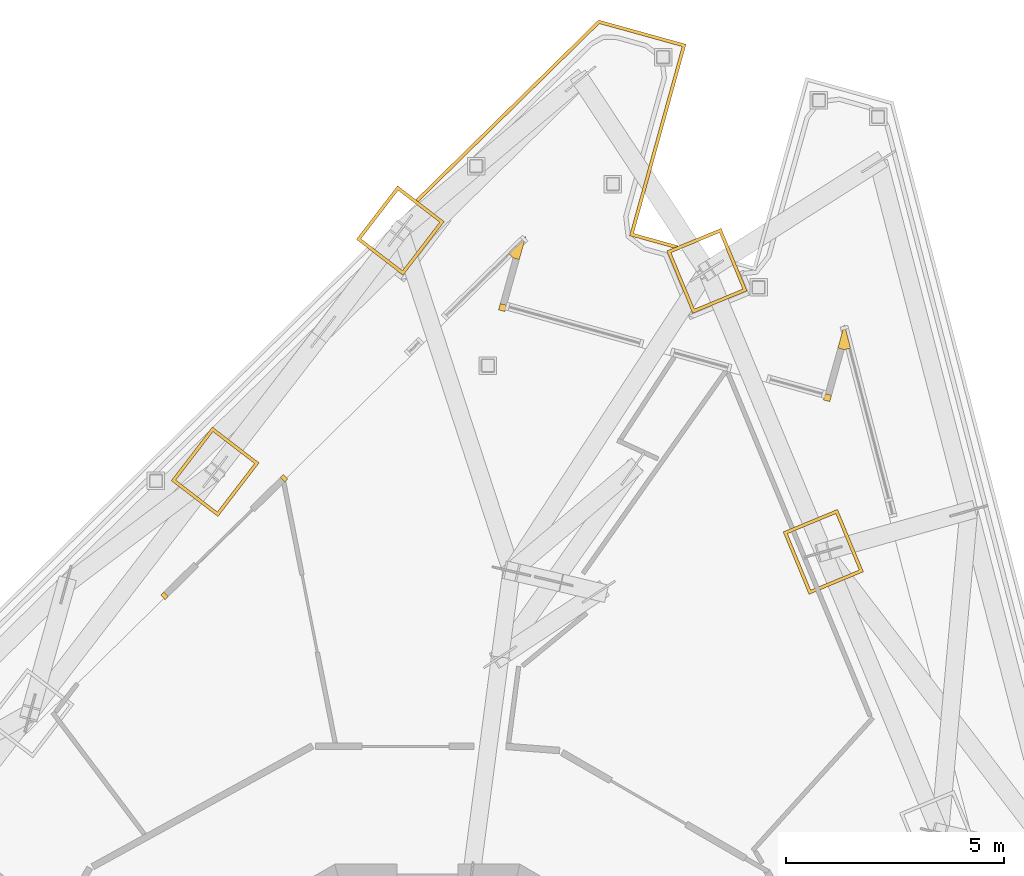
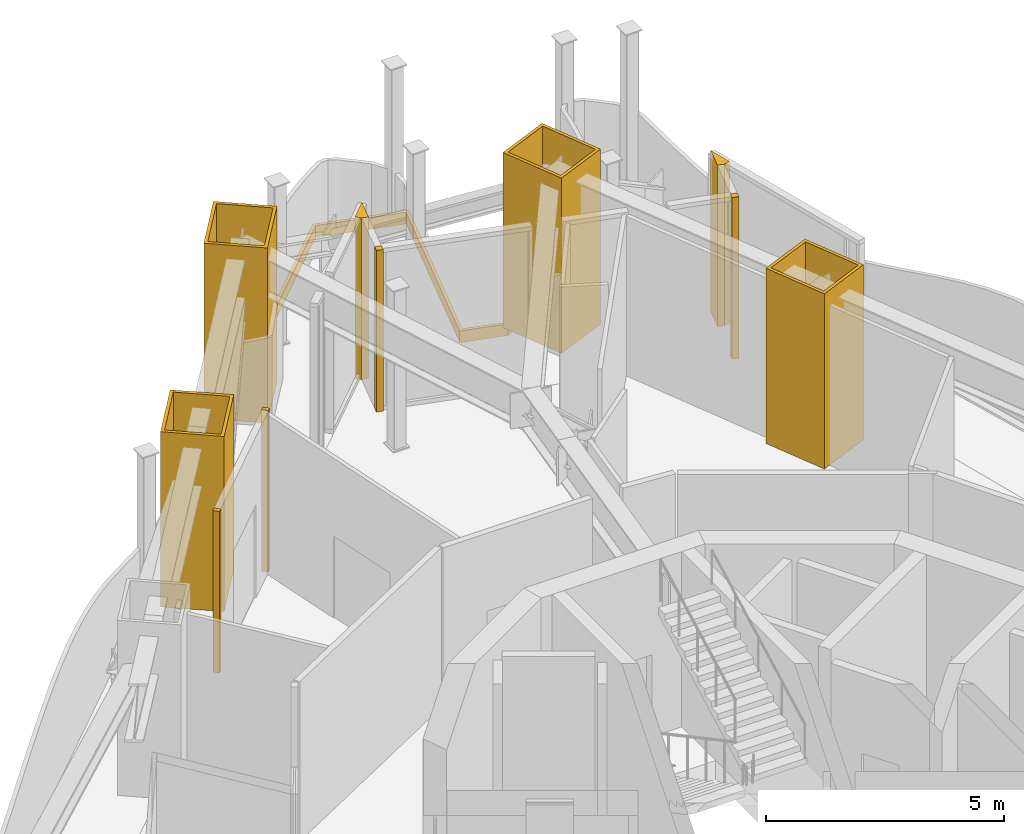
# One storey, part 22 of 22: 11 coverings.
"""IFC4 building model written with IfcOpenShell, lengths in metres."""

from ifc_helpers import new_model, si_unit, direction, frame, origin, place, context, subcontext, project, spatial, polyline, outline, extrude, material, layer, layer_set, type_object, element, save


model = new_model("IFC4")

# Units and contexts
model_context = context("Model", 3, precision=1e-05, world=origin(), true_north=direction((0.0, 1.0)))
body_context = subcontext(model_context, "Body", "Model", "MODEL_VIEW")
ifc_project = project(units=[si_unit("LENGTHUNIT", "METRE"), si_unit("AREAUNIT", "SQUARE_METRE"), si_unit("VOLUMEUNIT", "CUBIC_METRE"), si_unit("PLANEANGLEUNIT", "RADIAN"), si_unit("MASSUNIT", "GRAM", prefix="KILO")], contexts=[model_context])

# Site, building, storey
site_placement = place(None, origin())
site = spatial("IfcSite", under=ifc_project, at=site_placement, CompositionType="ELEMENT")
building_placement = place(site_placement, origin())
building = spatial("IfcBuilding", under=site, at=building_placement, Name="Trine Commons Tower", CompositionType="ELEMENT")
storey_placement = place(building_placement, frame((0.0, 0.0, 267.300048828125)))
storey = spatial("IfcBuildingStorey", under=building, at=storey_placement, Name="L70", CompositionType="ELEMENT", Elevation=267.300048828125)

# Coverings
ifc_material_1 = material(Name="Aluminium-framed insulated wall panel", Category="aluminium")
ifc_layer_1 = layer(ifc_material_1, 0.14990234375)
ifc_layer_set_1 = layer_set([ifc_layer_1], Name="Aluminium-framed insulated wall panel")
covering_type_1 = type_object("IfcCoveringType", Name="Glazing corner post, aluminium", PredefinedType="CLADDING", material=ifc_layer_set_1)
covering_1_placement = place(storey_placement, origin())
element("IfcCovering", 1, at=covering_1_placement, inside=storey, type_object=covering_type_1, Name="Entrance wall jamb post F1 7A", PredefinedType="CLADDING", context=body_context, shape_type="SweptSolid", body=[
    extrude(outline(polyline([(73.8837890625, 76.59130859375), (73.955078125, 76.66162109375), (74.06005859375, 76.554443359375), (73.98876953125, 76.484375), (73.8837890625, 76.59130859375)])), origin(), (0.0, 0.0, 1.0), 4.14990234375),
])
covering_2_placement = place(storey_placement, origin())
element("IfcCovering", 2, at=covering_2_placement, inside=storey, type_object=covering_type_1, Name="Entrance wall jamb post F1 7B", PredefinedType="CLADDING", context=body_context, shape_type="SweptSolid", body=[
    extrude(outline(polyline([(76.62451171875, 79.284912109375), (76.69580078125, 79.35498046875), (76.801025390625, 79.248046875), (76.729736328125, 79.177978515625), (76.62451171875, 79.284912109375)])), origin(), (0.0, 0.0, 1.0), 4.14990234375),
])
covering_3_placement = place(storey_placement, origin())
element("IfcCovering", 3, at=covering_3_placement, inside=storey, type_object=covering_type_1, Name="Glazing corner post 7-02", PredefinedType="CLADDING", context=body_context, shape_type="SweptSolid", body=[
    extrude(outline(polyline([(82.107177734375, 84.280029296875), (82.256591796875, 84.819580078125), (81.857421875, 84.42724609375), (81.962646484375, 84.3203125), (82.107177734375, 84.280029296875)])), origin(), (0.0, 0.0, 1.0), 4.14990234375),
])
covering_4_placement = place(storey_placement, origin())
element("IfcCovering", 4, at=covering_4_placement, inside=storey, type_object=covering_type_1, Name="Glazing corner post 7-03", PredefinedType="CLADDING", context=body_context, shape_type="SweptSolid", body=[
    extrude(outline(polyline([(81.77685546875, 83.08935546875), (81.81689453125, 83.23388671875), (81.67236328125, 83.27392578125), (81.63232421875, 83.12939453125), (81.77685546875, 83.08935546875)])), origin(), (0.0, 0.0, 1.0), 4.14990234375),
])
covering_5_placement = place(storey_placement, origin())
element("IfcCovering", 5, at=covering_5_placement, inside=storey, type_object=covering_type_1, Name="Glazing corner post 7-04", PredefinedType="CLADDING", context=body_context, shape_type="SweptSolid", body=[
    extrude(outline(polyline([(89.081298828125, 81.063720703125), (89.225830078125, 81.023681640625), (89.265869140625, 81.168212890625), (89.121337890625, 81.208251953125), (89.081298828125, 81.063720703125)])), origin(), (0.0, 0.0, 1.0), 4.14990234375),
])
covering_6_placement = place(storey_placement, origin())
element("IfcCovering", 6, at=covering_6_placement, inside=storey, type_object=covering_type_1, Name="Glazing corner post 7-05", PredefinedType="CLADDING", context=body_context, shape_type="SweptSolid", body=[
    extrude(outline(polyline([(89.411376953125, 82.25439453125), (89.555908203125, 82.21435546875), (89.701171875, 82.251953125), (89.56103515625, 82.7939453125), (89.411376953125, 82.25439453125)])), origin(), (0.0, 0.0, 1.0), 4.14990234375),
])
ifc_material_2 = material(Name="Limestone, honed", Category="masonry")
ifc_layer_2 = layer(ifc_material_2, 0.074951171875)
ifc_layer_set_2 = layer_set([ifc_layer_2], Name="Limestone, honed")
covering_type_2 = type_object("IfcCoveringType", Name="Limestone column cladding 75", PredefinedType="CLADDING", material=ifc_layer_set_2)
covering_7_placement = place(storey_placement, origin())
element("IfcCovering", 7, at=covering_7_placement, inside=storey, type_object=covering_type_2, Name="Limestone pier cladding 8-11", PredefinedType="CLADDING", context=body_context, shape_type="SweptSolid", body=[
    extrude(outline(polyline([(76.142822265625, 79.619873046875), (75.07177734375, 80.44189453125), (74.128173828125, 79.212158203125), (75.19921875, 78.39013671875), (76.142822265625, 79.619873046875)]), holes=[polyline([(76.03759765625, 79.606201171875), (75.085693359375, 80.336669921875), (74.2333984375, 79.225830078125), (75.185302734375, 78.495361328125), (76.03759765625, 79.606201171875)])]), origin(), (0.0, 0.0, 1.0), 4.5),
])
covering_8_placement = place(storey_placement, origin())
element("IfcCovering", 8, at=covering_8_placement, inside=storey, type_object=covering_type_2, Name="Limestone pier cladding 8-12", PredefinedType="CLADDING", context=body_context, shape_type="SweptSolid", body=[
    extrude(outline(polyline([(80.387451171875, 85.15185546875), (79.31640625, 85.9736328125), (78.372802734375, 84.743896484375), (79.44384765625, 83.922119140625), (80.387451171875, 85.15185546875)]), holes=[polyline([(80.2822265625, 85.137939453125), (79.330322265625, 85.868408203125), (78.47802734375, 84.7578125), (79.43017578125, 84.02734375), (80.2822265625, 85.137939453125)])]), origin(), (0.0, 0.0, 1.0), 4.5),
])
covering_9_placement = place(storey_placement, origin())
element("IfcCovering", 9, at=covering_9_placement, inside=storey, type_object=covering_type_2, Name="Limestone pier cladding 8-13", PredefinedType="CLADDING", context=body_context, shape_type="SweptSolid", body=[
    extrude(outline(polyline([(86.735595703125, 84.996826171875), (85.48828125, 84.480224609375), (86.08154296875, 83.04833984375), (87.328857421875, 83.56494140625), (86.735595703125, 84.996826171875)]), holes=[polyline([(86.695068359375, 84.89892578125), (85.58642578125, 84.439697265625), (86.122314453125, 83.146240234375), (87.230712890625, 83.60546875), (86.695068359375, 84.89892578125)])]), origin(), (0.0, 0.0, 1.0), 4.5),
])
covering_10_placement = place(storey_placement, origin())
element("IfcCovering", 10, at=covering_10_placement, inside=storey, type_object=covering_type_2, Name="Limestone pier cladding 8-14", PredefinedType="CLADDING", context=body_context, shape_type="SweptSolid", body=[
    extrude(outline(polyline([(89.40380859375, 78.554931640625), (88.15673828125, 78.038330078125), (88.75, 76.606201171875), (89.9970703125, 77.122802734375), (89.40380859375, 78.554931640625)]), holes=[polyline([(89.36328125, 78.456787109375), (88.254638671875, 77.997802734375), (88.79052734375, 76.704345703125), (89.899169921875, 77.16357421875), (89.36328125, 78.456787109375)])]), origin(), (0.0, 0.0, 1.0), 4.5),
])
ifc_layer_3 = layer(ifc_material_2, 0.074951171875)
ifc_layer_set_3 = layer_set([ifc_layer_3], Name="Limestone, honed")
covering_type_3 = type_object("IfcCoveringType", Name="Limestone spandrel panel 75", PredefinedType="CLADDING", material=ifc_layer_set_3)
covering_11_placement = place(storey_placement, frame((0.0, 0.0, -0.300048828125)))
element("IfcCovering", 11, at=covering_11_placement, inside=storey, type_object=covering_type_3, Name="Limestone spandrel panel 7-05", PredefinedType="CLADDING", context=body_context, shape_type="SweptSolid", body=[
    extrude(outline(polyline([(83.923828125, 89.773681640625), (79.732421875, 85.654541015625), (79.79248046875, 85.6083984375), (83.945556640625, 89.68994140625), (85.838134765625, 89.1650390625), (84.6357421875, 84.82861328125), (85.650146484375, 84.54736328125), (85.7626953125, 84.593994140625), (84.72802734375, 84.880859375), (85.9306640625, 89.21728515625), (83.923828125, 89.773681640625)])), origin(), (0.0, 0.0, 1.0), 0.300048828125),
])

save(model, "model.ifc")
